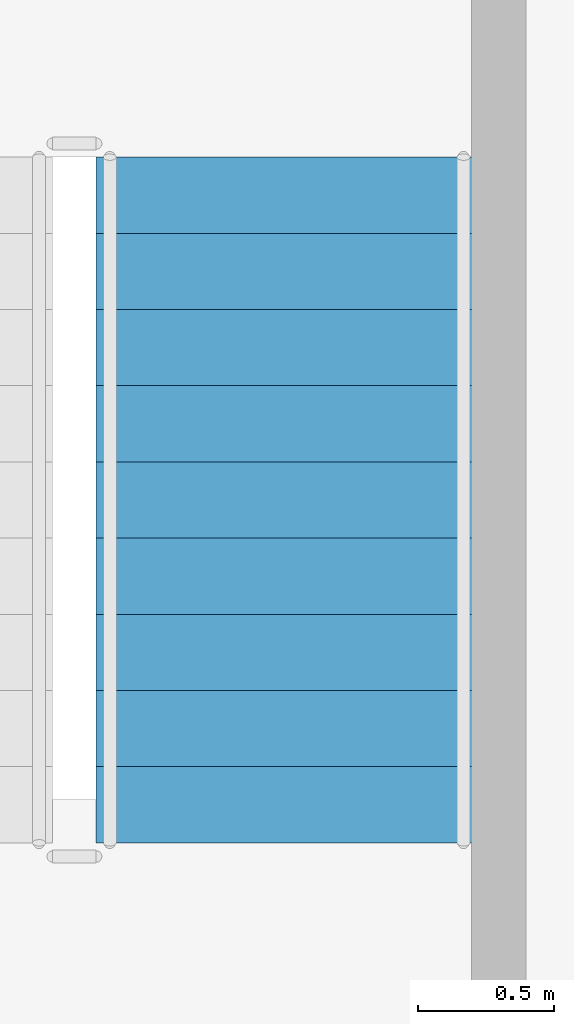
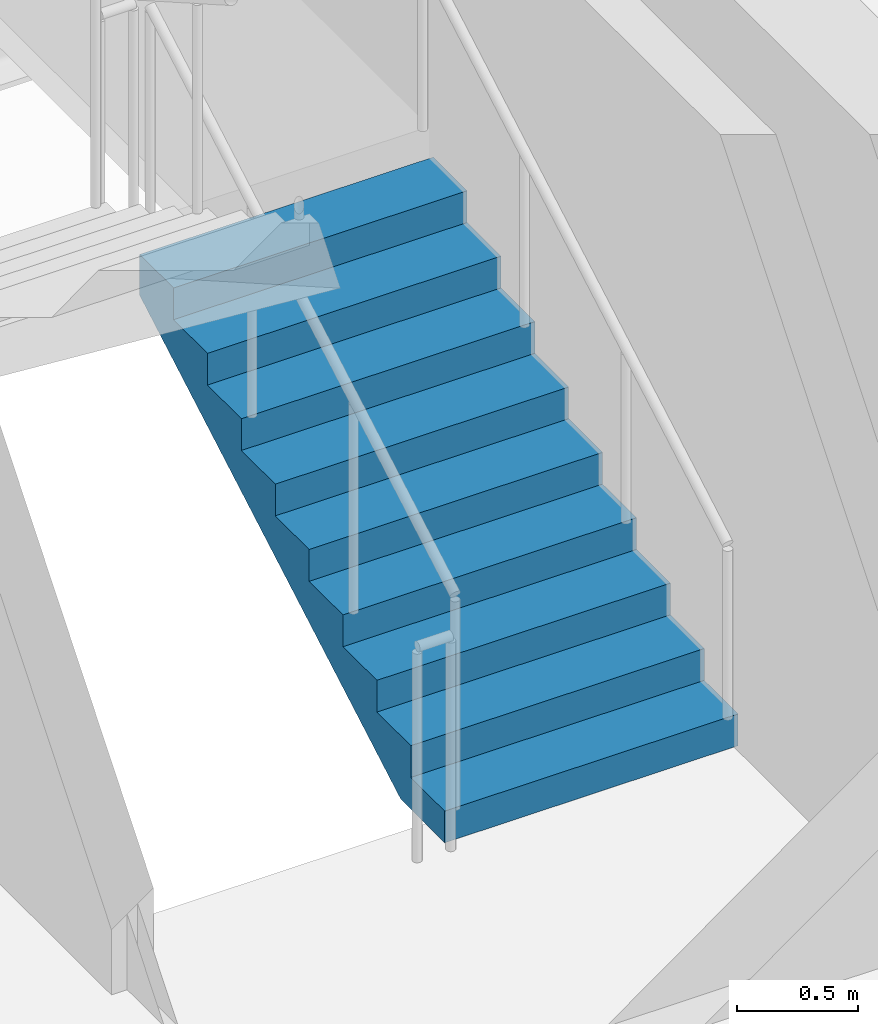
# One storey, part 5 of 7: 1 stair flight, 1 element without a shape of its own.
"""IFC4 building model written with IfcOpenShell, lengths in metres."""

from ifc_helpers import new_model, si_unit, direction, frame, origin, place, context, subcontext, project, spatial, polyline, outline, extrude, material, type_object, element, aggregate, save


model = new_model("IFC4")

# Units and contexts
model_context = context("Model", 3, precision=1e-05, world=origin(), true_north=direction((0.0, 1.0)))
body_context = subcontext(model_context, "Body", "Model", "MODEL_VIEW")
ifc_project = project(units=[si_unit("LENGTHUNIT", "METRE"), si_unit("AREAUNIT", "SQUARE_METRE"), si_unit("VOLUMEUNIT", "CUBIC_METRE"), si_unit("PLANEANGLEUNIT", "RADIAN"), si_unit("MASSUNIT", "GRAM", prefix="KILO")], contexts=[model_context])

# Site, building, storey
site_placement = place(None, origin())
site = spatial("IfcSite", under=ifc_project, at=site_placement, CompositionType="ELEMENT")
building_placement = place(site_placement, origin())
building = spatial("IfcBuilding", under=site, at=building_placement, Name="Kuzgunbayir Cultural Tower", CompositionType="ELEMENT")
storey_placement = place(building_placement, frame((0.0, 0.0, 192.0)))
storey = spatial("IfcBuildingStorey", under=building, at=storey_placement, Name="L56", CompositionType="ELEMENT", Elevation=192.0)

# Stair, stair flight
ifc_material = material(Name="Concrete C40/50", Category="concrete")
stair_type = type_object("IfcStairType", Name="STR-EXIT-CORE", PredefinedType="HALF_TURN_STAIR", material=ifc_material)
stair_placement = place(storey_placement, origin())
stair = element("IfcStair", 1, at=stair_placement, inside=storey, type_object=stair_type, Name="L56 ST-2", PredefinedType="HALF_TURN_STAIR")
stair_flight_type = type_object("IfcStairFlightType", Name="STRF-RC-140", PredefinedType="STRAIGHT", material=ifc_material)
stair_flight_placement = place(storey_placement, frame((25.4599609375, 35.60009765625, 0.0), z_axis=(0.0, 0.0, 1.0), x_axis=(0.0, 1.0, 0.0)))
stair_flight = element("IfcStairFlight", 2, at=stair_flight_placement, type_object=stair_flight_type, Name="ST-2 flight 1", NumberOfRisers=10, NumberOfTreads=9, PredefinedType="STRAIGHT", RiserHeight=0.16, TreadLength=0.28, context=body_context, shape_type="SweptSolid", body=[
    extrude(outline(polyline([(0.0, 0.0), (0.0, 0.159912109375), (0.280029296875, 0.159912109375), (0.280029296875, 0.320068359375), (0.56005859375, 0.320068359375), (0.56005859375, 0.47998046875), (0.840087890625, 0.47998046875), (0.840087890625, 0.639892578125), (1.1201171875, 0.639892578125), (1.1201171875, 0.800048828125), (1.39990234375, 0.800048828125), (1.39990234375, 0.9599609375), (1.679931640625, 0.9599609375), (1.679931640625, 1.1201171875), (1.9599609375, 1.1201171875), (1.9599609375, 1.280029296875), (2.239990234375, 1.280029296875), (2.239990234375, 1.43994140625), (2.52001953125, 1.43994140625), (2.52001953125, 1.60009765625), (2.52001953125, 1.232666015625), (0.362548828125, 0.0), (0.0, 0.0)])), frame((0.0, 0.699951171875, 0.0), z_axis=(0.0, -1.0, 0.0), x_axis=(1.0, 0.0, 0.0)), (0.0, 0.0, 1.0), 1.39990234375),
])
aggregate(stair, [stair_flight])

save(model, "model.ifc")
